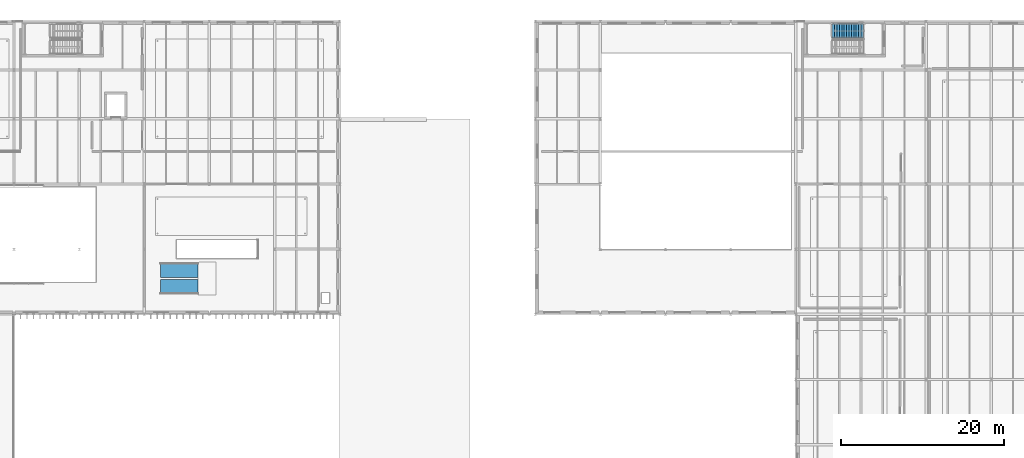
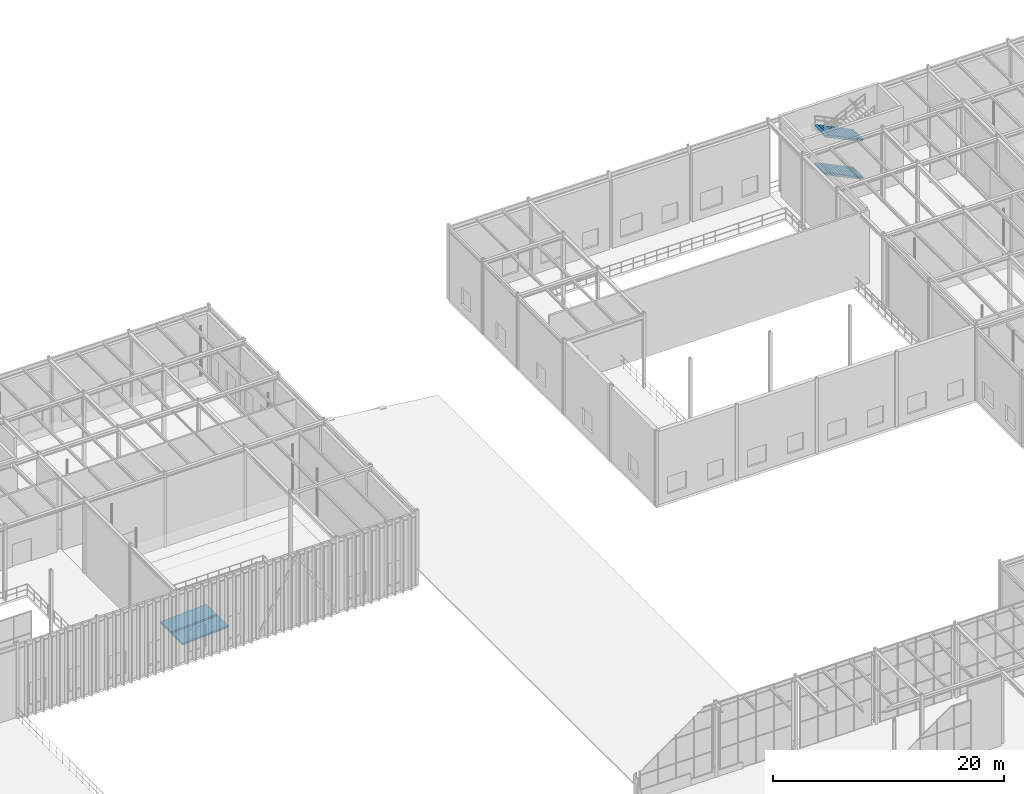
# One storey, part 101 of 138: 2 ramp flights, 2 stair flights, 2 elements without a shape of their own.
"""IFC4 building model written with IfcOpenShell, lengths in metres."""

import ifcopenshell
import ifcopenshell.guid

model = None  # the IFC model being written
_history = None  # IfcOwnerHistory: only IFC2X3 demands one
_inside = {}  # id of a spatial element -> (the spatial element, [elements in it])
_under = {}  # id of a project, library or spatial element -> (it, [spatial elements below it])
_declared = {}  # id of a project -> (the project, [libraries it declares])
_typed = {}  # id of a type object -> (the type object, [elements of that type])
_made_of = {}  # id of a material, layer set ... -> (it, [elements and type objects made of it])


def new_model(schema):
    """Start an empty IFC model of exactly this schema.

    Asked for "IFC4X3", IfcOpenShell would pick the latest addendum, in which some entities
    have other attributes; the version numbers below select the first issue.
    IFC2X3 requires an IfcOwnerHistory on every rooted entity: one is made here for all.
    """
    global model, _history
    if schema == "IFC4X3":
        model = ifcopenshell.file(schema_version=(4, 3, 0, 0))
    else:
        model = ifcopenshell.file(schema=schema)
    _inside.clear()
    _under.clear()
    _declared.clear()
    _typed.clear()
    _made_of.clear()
    _history = None
    if model.schema == "IFC2X3":
        org = make("IfcOrganization", Name="unknown")
        user = make(
            "IfcPersonAndOrganization",
            ThePerson=make("IfcPerson", FamilyName="unknown"),
            TheOrganization=org,
        )
        app = make(
            "IfcApplication",
            ApplicationDeveloper=org,
            Version="unknown",
            ApplicationFullName="unknown",
            ApplicationIdentifier="unknown",
        )
        _history = make(
            "IfcOwnerHistory",
            OwningUser=user,
            OwningApplication=app,
            ChangeAction="ADDED",
            CreationDate=0,
        )
    return model


def make(cls, **values):
    """One entity of the class cls with the attributes given. An attribute that is None is left unset."""
    return model.create_entity(
        cls, **{name: value for name, value in values.items() if value is not None}
    )


def rooted(cls, **values):
    """An entity with a GlobalId (a new one), such as an element, a storey or a relation."""
    return make(cls, GlobalId=ifcopenshell.guid.new(), OwnerHistory=_history, **values)


def si_unit(unit_type, name, prefix=None):
    """IfcSIUnit, for example si_unit("LENGTHUNIT", "METRE", prefix="MILLI")."""
    return make("IfcSIUnit", UnitType=unit_type, Prefix=prefix, Name=name)


def assignment(units):
    """IfcUnitAssignment: the units of a project."""
    return None if units is None else make("IfcUnitAssignment", Units=units)


def point(xyz):
    """IfcCartesianPoint."""
    return None if xyz is None else make("IfcCartesianPoint", Coordinates=xyz)


def direction(xyz):
    """IfcDirection."""
    return None if xyz is None else make("IfcDirection", DirectionRatios=xyz)


def frame(location, z_axis=None, x_axis=None):
    """IfcAxis2Placement3D, a coordinate frame: its origin and axes. An axis left out is left unset."""
    return make(
        "IfcAxis2Placement3D",
        Location=point(location),
        Axis=direction(z_axis),
        RefDirection=direction(x_axis),
    )


def origin():
    """The frame at (0, 0, 0) with its axes left unset."""
    return frame((0.0, 0.0, 0.0))


def place(relative_to, where):
    """IfcLocalPlacement: puts the frame where relative to a parent placement (None: the world)."""
    return make(
        "IfcLocalPlacement", PlacementRelTo=relative_to, RelativePlacement=where
    )


def context(
    kind, dimensions, precision=None, world=None, true_north=None, identifier=None
):
    """IfcGeometricRepresentationContext, for example the 3D "Model" context."""
    return make(
        "IfcGeometricRepresentationContext",
        ContextIdentifier=identifier,
        ContextType=kind,
        CoordinateSpaceDimension=dimensions,
        Precision=precision,
        WorldCoordinateSystem=world,
        TrueNorth=true_north,
    )


def subcontext(parent, identifier, kind, view, scale=None):
    """IfcGeometricRepresentationSubContext, for example "Body" below "Model"."""
    return make(
        "IfcGeometricRepresentationSubContext",
        ContextIdentifier=identifier,
        ContextType=kind,
        ParentContext=parent,
        TargetScale=scale,
        TargetView=view,
    )


def project(units=None, contexts=None):
    """IfcProject with its units and contexts."""
    return rooted(
        "IfcProject",
        Name="project",
        RepresentationContexts=contexts,
        UnitsInContext=assignment(units),
    )


def spatial(cls, under=None, at=None, **own):
    """A site, building, storey or space (cls), placed at a placement, below another one or the project."""
    s = rooted(cls, ObjectPlacement=at, **own)
    if under is not None:
        _under.setdefault(under.id(), (under, []))[1].append(s)
    return s


def polyline(points):
    """IfcPolyline through the points."""
    return make("IfcPolyline", Points=[point(p) for p in points])


def outline(outer, holes=None, kind="AREA"):
    """IfcArbitraryClosedProfileDef: a profile drawn as a closed curve; with holes, ...WithVoids."""
    if holes is None:
        return make("IfcArbitraryClosedProfileDef", ProfileType=kind, OuterCurve=outer)
    return make(
        "IfcArbitraryProfileDefWithVoids",
        ProfileType=kind,
        OuterCurve=outer,
        InnerCurves=holes,
    )


def extrude(swept, where, along, depth):
    """IfcExtrudedAreaSolid: the profile swept, set in the frame where, extruded along a direction by depth."""
    return make(
        "IfcExtrudedAreaSolid",
        SweptArea=swept,
        Position=where,
        ExtrudedDirection=direction(along),
        Depth=depth,
    )


def shape(context_of_items, identifier, shape_type, items):
    """IfcShapeRepresentation: the items that make up one representation, for example the "Body"."""
    return make(
        "IfcShapeRepresentation",
        ContextOfItems=context_of_items,
        RepresentationIdentifier=identifier,
        RepresentationType=shape_type,
        Items=items,
    )


def material(Name=None, Category=None):
    """IfcMaterial."""
    return make("IfcMaterial", Name=Name, Category=Category)


def layer(
    of_material, thickness, ventilated=None, Name=None, Category=None, Priority=None
):
    """IfcMaterialLayer: one layer of a wall or slab, of a material (None: an air gap)."""
    return make(
        "IfcMaterialLayer",
        Material=of_material,
        LayerThickness=thickness,
        IsVentilated=ventilated,
        Name=Name,
        Category=Category,
        Priority=Priority,
    )


def layer_set(layers, Name=None):
    """IfcMaterialLayerSet."""
    return make("IfcMaterialLayerSet", MaterialLayers=layers, LayerSetName=Name)


def made_of(thing, what):
    """Note that an element or type object is made of a material, layer set ...; save() writes the relation."""
    if what is not None:
        _made_of.setdefault(what.id(), (what, []))[1].append(thing)
    return thing


def type_object(cls, material=None, **own):
    """A type object (cls), such as IfcWallType, which elements share."""
    return made_of(rooted(cls, **own), material)


def element(
    cls,
    number,
    at=None,
    inside=None,
    cuts=None,
    type_object=None,
    material=None,
    context=None,
    identifier="Body",
    shape_type=None,
    held_by="IfcProductDefinitionShape",
    body=None,
    shapes=None,
    **own,
):
    """One element of the class cls, such as IfcWall. Its Tag is "e" and its number.

    at: its placement. inside: the storey or other place that contains it. cuts: it is an
    opening in that element (IfcRelVoidsElement). A single representation is given by context,
    identifier, shape_type and body (its items); several are given by shapes. held_by: the class
    of the entity that holds the representations. save() writes the other relations.
    """
    e = rooted(cls, Tag="e%d" % number, ObjectPlacement=at, **own)
    if body is not None:
        shapes = [shape(context, identifier, shape_type, body)]
    if shapes is not None:
        e.Representation = make(held_by, Representations=shapes)
    if inside is not None:
        _inside.setdefault(inside.id(), (inside, []))[1].append(e)
    if cuts is not None:
        rooted(
            "IfcRelVoidsElement", RelatingBuildingElement=cuts, RelatedOpeningElement=e
        )
    if type_object is not None:
        _typed.setdefault(type_object.id(), (type_object, []))[1].append(e)
    return made_of(e, material)


def aggregate(whole, parts):
    """IfcRelAggregates: a whole, such as a stair, and the parts it consists of."""
    return rooted("IfcRelAggregates", RelatingObject=whole, RelatedObjects=parts)


def save(model, path):
    """Write the relations noted so far, then the file.

    IfcRelAggregates (storeys below a building ...), IfcRelContainedInSpatialStructure (elements
    in a storey), IfcRelDefinesByType, IfcRelAssociatesMaterial and IfcRelDeclares: one each for
    every whole, place, type object, material and project.
    """
    for whole, parts in _under.values():
        aggregate(whole, parts)
    for where, things in _inside.values():
        rooted(
            "IfcRelContainedInSpatialStructure",
            RelatedElements=things,
            RelatingStructure=where,
        )
    for kind, things in _typed.values():
        rooted("IfcRelDefinesByType", RelatedObjects=things, RelatingType=kind)
    for what, things in _made_of.values():
        rooted("IfcRelAssociatesMaterial", RelatedObjects=things, RelatingMaterial=what)
    for by, libraries in _declared.values():
        rooted("IfcRelDeclares", RelatingContext=by, RelatedDefinitions=libraries)
    model.write(path)


model = new_model("IFC4")

# Units and contexts
model_context = context("Model", 3, precision=1e-05, world=origin(), true_north=direction((0.0, 1.0)))
body_context = subcontext(model_context, "Body", "Model", "MODEL_VIEW")
ifc_project = project(units=[si_unit("LENGTHUNIT", "METRE"), si_unit("AREAUNIT", "SQUARE_METRE"), si_unit("VOLUMEUNIT", "CUBIC_METRE"), si_unit("PLANEANGLEUNIT", "RADIAN"), si_unit("MASSUNIT", "GRAM", prefix="KILO")], contexts=[model_context])

# Site, building, storey
site_placement = place(None, origin())
site = spatial("IfcSite", under=ifc_project, at=site_placement, CompositionType="ELEMENT")
building_placement = place(site_placement, origin())
building = spatial("IfcBuilding", under=site, at=building_placement, Name="Sundkrona Museum", CompositionType="ELEMENT")
storey_placement = place(building_placement, frame((0.0, 0.0, 9.60009765625)))
storey = spatial("IfcBuildingStorey", under=building, at=storey_placement, Name="L02", CompositionType="ELEMENT", Elevation=9.60009765625)

# Stair, stair flights
ifc_material = material(Name="Concrete C35/45", Category="concrete")
stair_type = type_object("IfcStairType", Name="ST-DL-800", PredefinedType="HALF_TURN_STAIR", material=ifc_material)
stair_placement = place(storey_placement, origin())
stair = element("IfcStair", 1, at=stair_placement, inside=storey, type_object=stair_type, Name="L02 Protected Stair Core ST-5", PredefinedType="HALF_TURN_STAIR")
stair_flight_type = type_object("IfcStairFlightType", Name="SF-180-200", PredefinedType="STRAIGHT", material=ifc_material)
stair_flight_1_placement = place(storey_placement, frame((144.300048828125, 112.800048828125, 0.0), z_axis=(0.0, 0.0, 1.0), x_axis=(-1.0, 0.0, 0.0)))
stair_flight_1 = element("IfcStairFlight", 2, at=stair_flight_1_placement, type_object=stair_flight_type, Name="L02 Protected Stair Core ST-5 Flight 1", NumberOfRisers=14, NumberOfTreads=13, PredefinedType="STRAIGHT", RiserHeight=0.142857143, TreadLength=0.295, context=body_context, shape_type="SweptSolid", body=[
    extrude(outline(polyline([(0.0, 0.0), (0.0, 0.142822265625), (0.294921875, 0.142822265625), (0.294921875, 0.28564453125), (0.590087890625, 0.28564453125), (0.590087890625, 0.428466796875), (0.885009765625, 0.428466796875), (0.885009765625, 0.571533203125), (1.179931640625, 0.571533203125), (1.179931640625, 0.71435546875), (1.47509765625, 0.71435546875), (1.47509765625, 0.857177734375), (1.77001953125, 0.857177734375), (1.77001953125, 1.0), (2.06494140625, 1.0), (2.06494140625, 1.142822265625), (2.360107421875, 1.142822265625), (2.360107421875, 1.28564453125), (2.655029296875, 1.28564453125), (2.655029296875, 1.428466796875), (2.949951171875, 1.428466796875), (2.949951171875, 1.571533203125), (3.2451171875, 1.571533203125), (3.2451171875, 1.71435546875), (3.5400390625, 1.71435546875), (3.5400390625, 1.857177734375), (3.8349609375, 1.857177734375), (3.8349609375, 2.0), (3.8349609375, 1.679443359375), (0.366943359375, 0.0), (0.0, 0.0)])), frame((0.0, 0.89990234375, 0.0), z_axis=(0.0, -1.0, 0.0), x_axis=(1.0, 0.0, 0.0)), (0.0, 0.0, 1.0), 1.800048828125),
])
stair_flight_2_placement = place(storey_placement, frame((144.300048828125, 112.800048828125, 4.0), z_axis=(0.0, 0.0, 1.0), x_axis=(-1.0, 0.0, 0.0)))
stair_flight_2 = element("IfcStairFlight", 3, at=stair_flight_2_placement, type_object=stair_flight_type, Name="L02 Protected Stair Core ST-5 Flight 3", NumberOfRisers=14, NumberOfTreads=13, PredefinedType="STRAIGHT", RiserHeight=0.142857143, TreadLength=0.295, context=body_context, shape_type="SweptSolid", body=[
    extrude(outline(polyline([(0.0, 0.0), (0.0, 0.142822265625), (0.294921875, 0.142822265625), (0.294921875, 0.28564453125), (0.590087890625, 0.28564453125), (0.590087890625, 0.428466796875), (0.885009765625, 0.428466796875), (0.885009765625, 0.571533203125), (1.179931640625, 0.571533203125), (1.179931640625, 0.71435546875), (1.47509765625, 0.71435546875), (1.47509765625, 0.857177734375), (1.77001953125, 0.857177734375), (1.77001953125, 1.0), (2.06494140625, 1.0), (2.06494140625, 1.142822265625), (2.360107421875, 1.142822265625), (2.360107421875, 1.28564453125), (2.655029296875, 1.28564453125), (2.655029296875, 1.428466796875), (2.949951171875, 1.428466796875), (2.949951171875, 1.571533203125), (3.2451171875, 1.571533203125), (3.2451171875, 1.71435546875), (3.5400390625, 1.71435546875), (3.5400390625, 1.857177734375), (3.8349609375, 1.857177734375), (3.8349609375, 2.0), (3.8349609375, 1.679443359375), (0.366943359375, 0.0), (0.0, 0.0)])), frame((0.0, 0.89990234375, 0.0), z_axis=(0.0, -1.0, 0.0), x_axis=(1.0, 0.0, 0.0)), (0.0, 0.0, 1.0), 1.800048828125),
])
aggregate(stair, [stair_flight_1, stair_flight_2])

# Ramp, ramp flights
ramp_type = type_object("IfcRampType", Name="RMP-ACC-180", PredefinedType="HALF_TURN_RAMP", material=ifc_material)
ramp_placement = place(storey_placement, origin())
ramp = element("IfcRamp", 4, at=ramp_placement, inside=storey, type_object=ramp_type, Name="L02 Accessible Gallery Dais Ramp RMP-05", PredefinedType="HALF_TURN_RAMP")
ifc_layer = layer(ifc_material, 0.199951171875)
ifc_layer_set = layer_set([ifc_layer], Name="Concrete C35/45")
ramp_flight_type = type_object("IfcRampFlightType", Name="RMF-ACC-180", PredefinedType="STRAIGHT", material=ifc_layer_set)
ramp_flight_1_placement = place(storey_placement, frame((58.0, 81.39990234375, 0.014892578125), z_axis=(0.0, 0.0, 1.0), x_axis=(1.0, 0.0, 0.0)))
ramp_flight_1 = element("IfcRampFlight", 5, at=ramp_flight_1_placement, type_object=ramp_flight_type, Name="RMP-05 Up Flight", PredefinedType="STRAIGHT", context=body_context, shape_type="SweptSolid", body=[
    extrude(outline(polyline([(0.0, -0.199951171875), (4.60009765625, 0.06494140625), (4.60009765625, 0.264892578125), (0.0, 0.0), (0.0, -0.199951171875)])), frame((0.0, 0.89990234375, 0.0), z_axis=(0.0, -1.0, 0.0), x_axis=(1.0, 0.0, 0.0)), (0.0, 0.0, 1.0), 1.800048828125),
])
ramp_flight_2_placement = place(storey_placement, frame((62.60009765625, 83.39990234375, 0.27978515625), z_axis=(0.0, 0.0, 1.0), x_axis=(-1.0, 0.0, 0.0)))
ramp_flight_2 = element("IfcRampFlight", 6, at=ramp_flight_2_placement, type_object=ramp_flight_type, Name="RMP-05 Return Flight", PredefinedType="STRAIGHT", context=body_context, shape_type="SweptSolid", body=[
    extrude(outline(polyline([(0.0, -0.199951171875), (4.60009765625, -0.46484375), (4.60009765625, -0.264892578125), (0.0, 0.0), (0.0, -0.199951171875)])), frame((0.0, 0.89990234375, 0.0), z_axis=(0.0, -1.0, 0.0), x_axis=(1.0, 0.0, 0.0)), (0.0, 0.0, 1.0), 1.800048828125),
])
aggregate(ramp, [ramp_flight_1, ramp_flight_2])

save(model, "model.ifc")
